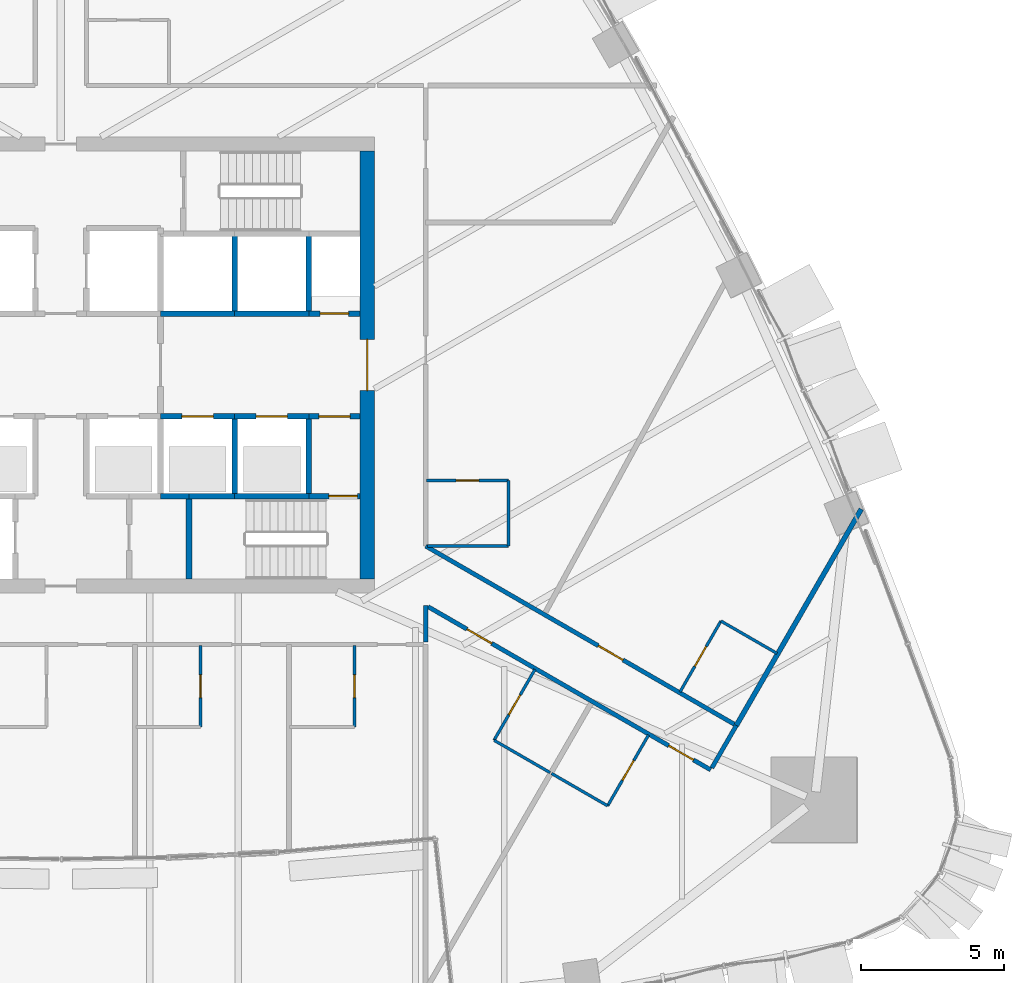
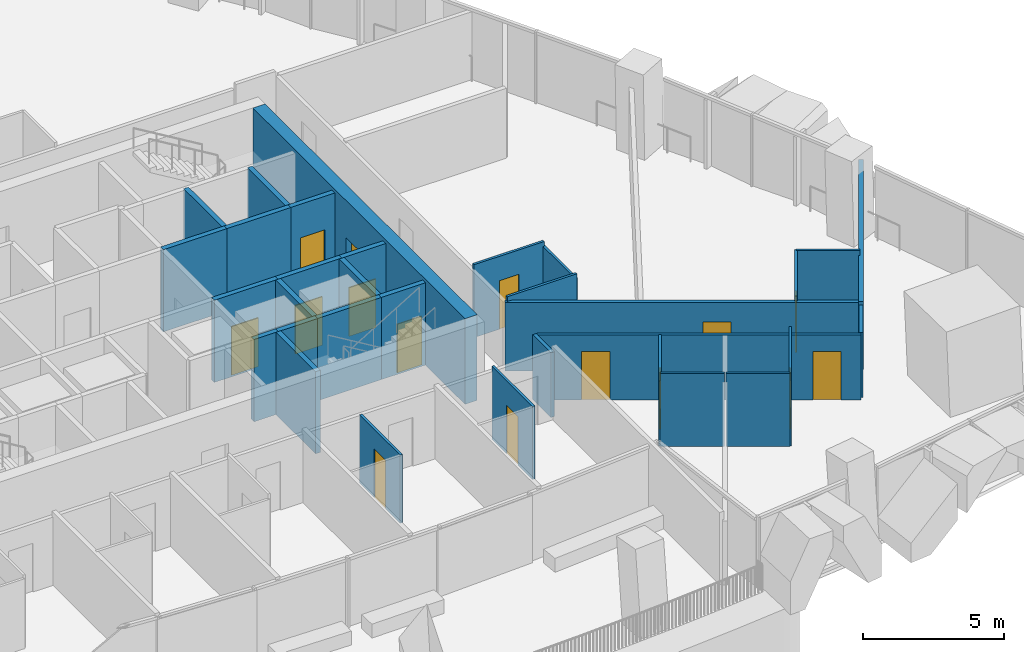
# One storey, part 14 of 22: 32 walls, 15 doors, 15 openings.
"""IFC4 building model written with IfcOpenShell, lengths in metres."""

from ifc_helpers import new_model, si_unit, direction, frame, frame_2d, origin, place, context, subcontext, project, spatial, rectangle, extrude, material, layer, layer_set, type_object, element, fill, save


model = new_model("IFC4")

# Units and contexts
model_context = context("Model", 3, precision=1e-05, world=origin(), true_north=direction((0.0, 1.0)))
body_context = subcontext(model_context, "Body", "Model", "MODEL_VIEW")
ifc_project = project(units=[si_unit("LENGTHUNIT", "METRE"), si_unit("AREAUNIT", "SQUARE_METRE"), si_unit("VOLUMEUNIT", "CUBIC_METRE"), si_unit("PLANEANGLEUNIT", "RADIAN"), si_unit("MASSUNIT", "GRAM", prefix="KILO")], contexts=[model_context])

# Site, building, storey
site_placement = place(None, origin())
site = spatial("IfcSite", under=ifc_project, at=site_placement, CompositionType="ELEMENT")
building_placement = place(site_placement, origin())
building = spatial("IfcBuilding", under=site, at=building_placement, Name="Sierra Prisma Convention Tower", CompositionType="ELEMENT")
storey_placement = place(building_placement, frame((0.0, 0.0, 73.89990234375)))
storey = spatial("IfcBuildingStorey", under=building, at=storey_placement, Name="L14", CompositionType="ELEMENT", Elevation=73.89990234375)

# Wall, opening, door
ifc_material_1 = material(Name="Gypsum board partition", Category="gypsum")
ifc_layer_1 = layer(ifc_material_1, 0.10009765625)
ifc_layer_set_1 = layer_set([ifc_layer_1], Name="Bathroom partition 100")
wall_type_1 = type_object("IfcWallType", Name="Bathroom partition 100", PredefinedType="PARTITIONING", material=ifc_layer_set_1)
wall_1_placement = place(storey_placement, frame((4.89990234375, -9.830078125, 0.0), z_axis=(0.0, 0.0, 1.0), x_axis=(0.0, -1.0, 0.0)))
wall_1 = element("IfcWall", 1, at=wall_1_placement, inside=storey, type_object=wall_type_1, Name="Partition L14 bath 20", PredefinedType="PARTITIONING", context=body_context, shape_type="SweptSolid", body=[
    extrude(rectangle(XDim=2.869873046875, YDim=0.10009765625, at=frame_2d((1.43505859375, 0.0))), origin(), (0.0, 0.0, 1.0), 2.947021484375),
])
opening_1_placement = place(wall_1_placement, frame((1.034912109375, 0.0, 0.0)))
opening_1 = element("IfcOpeningElement", 2, at=opening_1_placement, cuts=wall_1, Name="Opening L14-D012", PredefinedType="OPENING", context=body_context, shape_type="SweptSolid", body=[
    extrude(rectangle(XDim=0.800048828125, YDim=2.10009765625, at=frame_2d((0.39990234375, 1.050048828125))), frame((0.0, 0.050048828125, 0.0), z_axis=(0.0, -1.0, 0.0), x_axis=(1.0, 0.0, 0.0)), (0.0, 0.0, 1.0), 0.10009765625),
])
ifc_material_2 = material(Name="Solid core timber door leaf", Category="wood")
door_type_1 = type_object("IfcDoorType", Name="Door 800x2100 plain", OperationType="SINGLE_SWING_LEFT", PredefinedType="DOOR", material=ifc_material_2)
door_1_placement = place(opening_1_placement, origin())
door_1 = element("IfcDoor", 3, at=door_1_placement, inside=storey, type_object=door_type_1, Name="Door L14 21", OperationType="SINGLE_SWING_RIGHT", OverallHeight=2.10009765625, OverallWidth=0.800048828125, PredefinedType="DOOR", context=body_context, shape_type="SweptSolid", body=[
    extrude(rectangle(XDim=0.800048828125, YDim=2.10009765625, at=frame_2d((0.39990234375, 1.050048828125))), frame((0.0, 0.02490234375, 0.0), z_axis=(0.0, -1.0, 0.0), x_axis=(1.0, 0.0, 0.0)), (0.0, 0.0, 1.0), 0.050048828125),
])
fill(opening_1, door_1)

wall_2_placement = place(storey_placement, frame((10.300048828125, -9.830078125, 0.0), z_axis=(0.0, 0.0, 1.0), x_axis=(0.0, -1.0, 0.0)))
wall_2 = element("IfcWall", 4, at=wall_2_placement, inside=storey, type_object=wall_type_1, Name="Partition L14 bath 22", PredefinedType="PARTITIONING", context=body_context, shape_type="SweptSolid", body=[
    extrude(rectangle(XDim=2.869873046875, YDim=0.10009765625, at=frame_2d((1.43505859375, 0.0))), origin(), (0.0, 0.0, 1.0), 3.150146484375),
])
opening_2_placement = place(wall_2_placement, frame((1.034912109375, 0.0, 0.0)))
opening_2 = element("IfcOpeningElement", 5, at=opening_2_placement, cuts=wall_2, Name="Opening L14-D013", PredefinedType="OPENING", context=body_context, shape_type="SweptSolid", body=[
    extrude(rectangle(XDim=0.800048828125, YDim=2.10009765625, at=frame_2d((0.39990234375, 1.050048828125))), frame((0.0, 0.050048828125, 0.0), z_axis=(0.0, -1.0, 0.0), x_axis=(1.0, 0.0, 0.0)), (0.0, 0.0, 1.0), 0.10009765625),
])
door_2_placement = place(opening_2_placement, origin())
door_2 = element("IfcDoor", 6, at=door_2_placement, inside=storey, type_object=door_type_1, Name="Door L14 23", OperationType="SINGLE_SWING_LEFT", OverallHeight=2.10009765625, OverallWidth=0.800048828125, PredefinedType="DOOR", context=body_context, shape_type="SweptSolid", body=[
    extrude(rectangle(XDim=0.800048828125, YDim=2.10009765625, at=frame_2d((0.39990234375, 1.050048828125))), frame((0.0, 0.02490234375, 0.0), z_axis=(0.0, -1.0, 0.0), x_axis=(1.0, 0.0, 0.0)), (0.0, 0.0, 1.0), 0.050048828125),
])
fill(opening_2, door_2)

wall_3_placement = place(storey_placement, frame((12.830078125, -4.05078125, 0.0), z_axis=(0.0, 0.0, 1.0), x_axis=(1.0, 0.0, 0.0)))
wall_3 = element("IfcWall", 7, at=wall_3_placement, inside=storey, type_object=wall_type_1, Name="Partition L14 bath 24", PredefinedType="PARTITIONING", context=body_context, shape_type="SweptSolid", body=[
    extrude(rectangle(XDim=2.869873046875, YDim=0.10009765625, at=frame_2d((1.43505859375, 0.0))), origin(), (0.0, 0.0, 1.0), 3.150146484375),
])
opening_3_placement = place(wall_3_placement, frame((1.034912109375, 0.0, 0.0)))
opening_3 = element("IfcOpeningElement", 8, at=opening_3_placement, cuts=wall_3, Name="Opening L14-D017", PredefinedType="OPENING", context=body_context, shape_type="SweptSolid", body=[
    extrude(rectangle(XDim=0.800048828125, YDim=2.10009765625, at=frame_2d((0.39990234375, 1.050048828125))), frame((0.0, 0.050048828125, 0.0), z_axis=(0.0, -1.0, 0.0), x_axis=(1.0, 0.0, 0.0)), (0.0, 0.0, 1.0), 0.10009765625),
])
door_3_placement = place(opening_3_placement, origin())
door_3 = element("IfcDoor", 9, at=door_3_placement, inside=storey, type_object=door_type_1, Name="Door L14 31", OperationType="SINGLE_SWING_LEFT", OverallHeight=2.10009765625, OverallWidth=0.800048828125, PredefinedType="DOOR", context=body_context, shape_type="SweptSolid", body=[
    extrude(rectangle(XDim=0.800048828125, YDim=2.10009765625, at=frame_2d((0.39990234375, 1.050048828125))), frame((0.0, 0.02490234375, 0.0), z_axis=(0.0, -1.0, 0.0), x_axis=(1.0, 0.0, 0.0)), (0.0, 0.0, 1.0), 0.050048828125),
])
fill(opening_3, door_3)

# Walls
wall_4_placement = place(storey_placement, frame((15.699951171875, -4.05078125, 0.0), z_axis=(0.0, 0.0, 1.0), x_axis=(0.0, -1.0, 0.0)))
element("IfcWall", 10, at=wall_4_placement, inside=storey, type_object=wall_type_1, Name="Partition L14 bath 25", PredefinedType="PARTITIONING", context=body_context, shape_type="SweptSolid", body=[
    extrude(rectangle(XDim=2.300048828125, YDim=0.10009765625, at=frame_2d((1.14990234375, 0.0))), origin(), (0.0, 0.0, 1.0), 2.947021484375),
])
wall_5_placement = place(storey_placement, frame((15.699951171875, -6.350830078125, 0.0), z_axis=(0.0, 0.0, 1.0), x_axis=(-1.0, 0.0, 0.0)))
element("IfcWall", 11, at=wall_5_placement, inside=storey, type_object=wall_type_1, Name="Partition L14 bath 26", PredefinedType="PARTITIONING", context=body_context, shape_type="SweptSolid", body=[
    extrude(rectangle(XDim=2.83984375, YDim=0.10009765625, at=frame_2d((1.419921875, 0.0))), origin(), (0.0, 0.0, 1.0), 3.150146484375),
])
wall_6_placement = place(storey_placement, frame((17.16259765625, -14.296630859375, 0.0), z_axis=(0.0, 0.0, 1.0), x_axis=(-0.866044110172, 0.499967598186, 0.0)))
element("IfcWall", 12, at=wall_6_placement, inside=storey, type_object=wall_type_1, Name="Partition L14 bath 27", PredefinedType="PARTITIONING", context=body_context, shape_type="SweptSolid", body=[
    extrude(rectangle(XDim=2.270263671875, YDim=0.10009765625, at=frame_2d((1.13525390625, 0.0))), origin(), (0.0, 0.0, 1.0), 3.150146484375),
])

# Wall, opening, door
wall_7_placement = place(storey_placement, frame((15.196533203125, -13.16162109375, 0.0), z_axis=(0.0, 0.0, 1.0), x_axis=(0.499999802827, 0.866025517622, 0.0)))
wall_7 = element("IfcWall", 13, at=wall_7_placement, inside=storey, type_object=wall_type_1, Name="Partition L14 bath 28", PredefinedType="PARTITIONING", context=body_context, shape_type="SweptSolid", body=[
    extrude(rectangle(XDim=2.8701171875, YDim=0.10009765625, at=frame_2d((1.43505859375, 0.0))), origin(), (0.0, 0.0, 1.0), 2.797119140625),
])
opening_4_placement = place(wall_7_placement, frame((1.034912109375, 0.0, 0.0)))
opening_4 = element("IfcOpeningElement", 14, at=opening_4_placement, cuts=wall_7, Name="Opening L14-D014", PredefinedType="OPENING", context=body_context, shape_type="SweptSolid", body=[
    extrude(rectangle(XDim=0.800048828125, YDim=2.10009765625, at=frame_2d((0.39990234375, 1.050048828125))), frame((0.0, 0.050048828125, 0.0), z_axis=(0.0, -1.0, 0.0), x_axis=(1.0, 0.0, 0.0)), (0.0, 0.0, 1.0), 0.10009765625),
])
door_4_placement = place(opening_4_placement, origin())
door_4 = element("IfcDoor", 15, at=door_4_placement, inside=storey, type_object=door_type_1, Name="Door L14 25", OperationType="SINGLE_SWING_RIGHT", OverallHeight=2.10009765625, OverallWidth=0.800048828125, PredefinedType="DOOR", context=body_context, shape_type="SweptSolid", body=[
    extrude(rectangle(XDim=0.800048828125, YDim=2.10009765625, at=frame_2d((0.39990234375, 1.050048828125))), frame((0.0, 0.02490234375, 0.0), z_axis=(0.0, -1.0, 0.0), x_axis=(1.0, 0.0, 0.0)), (0.0, 0.0, 1.0), 0.050048828125),
])
fill(opening_4, door_4)

wall_8_placement = place(storey_placement, frame((20.615234375, -12.97607421875, 0.0), z_axis=(0.0, 0.0, 1.0), x_axis=(-0.499936001555, -0.866062350151, 0.0)))
wall_8 = element("IfcWall", 16, at=wall_8_placement, inside=storey, type_object=wall_type_1, Name="Partition L14 bath 29", PredefinedType="PARTITIONING", context=body_context, shape_type="SweptSolid", body=[
    extrude(rectangle(XDim=2.8701171875, YDim=0.10009765625, at=frame_2d((1.43505859375, 0.0))), origin(), (0.0, 0.0, 1.0), 3.150146484375),
])
opening_5_placement = place(wall_8_placement, frame((1.034912109375, 0.0, 0.0)))
opening_5 = element("IfcOpeningElement", 17, at=opening_5_placement, cuts=wall_8, Name="Opening L14-D015", PredefinedType="OPENING", context=body_context, shape_type="SweptSolid", body=[
    extrude(rectangle(XDim=0.800048828125, YDim=2.10009765625, at=frame_2d((0.39990234375, 1.050048828125))), frame((0.0, 0.050048828125, 0.0), z_axis=(0.0, -1.0, 0.0), x_axis=(1.0, 0.0, 0.0)), (0.0, 0.0, 1.0), 0.10009765625),
])
door_5_placement = place(opening_5_placement, origin())
door_5 = element("IfcDoor", 18, at=door_5_placement, inside=storey, type_object=door_type_1, Name="Door L14 27", OperationType="SINGLE_SWING_RIGHT", OverallHeight=2.10009765625, OverallWidth=0.800048828125, PredefinedType="DOOR", context=body_context, shape_type="SweptSolid", body=[
    extrude(rectangle(XDim=0.800048828125, YDim=2.10009765625, at=frame_2d((0.39990234375, 1.050048828125))), frame((0.0, 0.02490234375, 0.0), z_axis=(0.0, -1.0, 0.0), x_axis=(1.0, 0.0, 0.0)), (0.0, 0.0, 1.0), 0.050048828125),
])
fill(opening_5, door_5)

# Wall
wall_9_placement = place(storey_placement, frame((19.180419921875, -15.461669921875, 0.0), z_axis=(0.0, 0.0, 1.0), x_axis=(-0.866044110172, 0.499967598186, 0.0)))
element("IfcWall", 19, at=wall_9_placement, inside=storey, type_object=wall_type_1, Name="Partition L14 bath 30", PredefinedType="PARTITIONING", context=body_context, shape_type="SweptSolid", body=[
    extrude(rectangle(XDim=2.270263671875, YDim=0.10009765625, at=frame_2d((1.13525390625, 0.0))), origin(), (0.0, 0.0, 1.0), 3.150146484375),
])

# Wall, opening, door
wall_10_placement = place(storey_placement, frame((21.718505859375, -11.46533203125, 0.0), z_axis=(0.0, 0.0, 1.0), x_axis=(0.499999802827, 0.866025517622, 0.0)))
wall_10 = element("IfcWall", 20, at=wall_10_placement, inside=storey, type_object=wall_type_1, Name="Partition L14 bath 31", PredefinedType="PARTITIONING", context=body_context, shape_type="SweptSolid", body=[
    extrude(rectangle(XDim=2.8701171875, YDim=0.10009765625, at=frame_2d((1.43505859375, 0.0))), origin(), (0.0, 0.0, 1.0), 3.150146484375),
])
opening_6_placement = place(wall_10_placement, frame((1.034912109375, 0.0, 0.0)))
opening_6 = element("IfcOpeningElement", 21, at=opening_6_placement, cuts=wall_10, Name="Opening L14-D016", PredefinedType="OPENING", context=body_context, shape_type="SweptSolid", body=[
    extrude(rectangle(XDim=0.800048828125, YDim=2.10009765625, at=frame_2d((0.39990234375, 1.050048828125))), frame((0.0, 0.050048828125, 0.0), z_axis=(0.0, -1.0, 0.0), x_axis=(1.0, 0.0, 0.0)), (0.0, 0.0, 1.0), 0.10009765625),
])
door_6_placement = place(opening_6_placement, origin())
door_6 = element("IfcDoor", 22, at=door_6_placement, inside=storey, type_object=door_type_1, Name="Door L14 29", OperationType="SINGLE_SWING_LEFT", OverallHeight=2.10009765625, OverallWidth=0.800048828125, PredefinedType="DOOR", context=body_context, shape_type="SweptSolid", body=[
    extrude(rectangle(XDim=0.800048828125, YDim=2.10009765625, at=frame_2d((0.39990234375, 1.050048828125))), frame((0.0, 0.02490234375, 0.0), z_axis=(0.0, -1.0, 0.0), x_axis=(1.0, 0.0, 0.0)), (0.0, 0.0, 1.0), 0.050048828125),
])
fill(opening_6, door_6)

# Walls
wall_11_placement = place(storey_placement, frame((23.153564453125, -8.979736328125, 0.0), z_axis=(0.0, 0.0, 1.0), x_axis=(0.866017224141, -0.500014167291, 0.0)))
element("IfcWall", 23, at=wall_11_placement, inside=storey, type_object=wall_type_1, Name="Partition L14 bath 32", PredefinedType="PARTITIONING", context=body_context, shape_type="SweptSolid", body=[
    extrude(rectangle(XDim=2.27001953125, YDim=0.10009765625, at=frame_2d((1.135009765625, 0.0))), origin(), (0.0, 0.0, 1.0), 3.150146484375),
])
ifc_material_3 = material(Name="Concrete C30/37", Category="concrete")
ifc_layer_2 = layer(ifc_material_3, 0.199951171875)
ifc_layer_set_2 = layer_set([ifc_layer_2], Name="Core wall RC 200 C30/37")
wall_type_2 = type_object("IfcWallType", Name="Core wall RC 200 C30/37", PredefinedType="SOLIDWALL", material=ifc_layer_set_2)
wall_12_placement = place(storey_placement, frame((4.5, -4.60009765625, 0.0), z_axis=(0.0, 0.0, 1.0), x_axis=(-1.0, 0.0, 0.0)))
element("IfcWall", 24, at=wall_12_placement, inside=storey, type_object=wall_type_2, Name="Core wall L14 44", PredefinedType="SOLIDWALL", context=body_context, shape_type="SweptSolid", body=[
    extrude(rectangle(XDim=1.0, YDim=0.199951171875, at=frame_2d((0.5, 0.0))), origin(), (0.0, 0.0, 1.0), 3.550048828125),
])

# Wall, opening, door
wall_13_placement = place(storey_placement, frame((3.5, -1.800048828125, 0.0), z_axis=(0.0, 0.0, 1.0), x_axis=(1.0, 0.0, 0.0)))
wall_13 = element("IfcWall", 25, at=wall_13_placement, inside=storey, type_object=wall_type_2, Name="Core wall L14 46", PredefinedType="SOLIDWALL", context=body_context, shape_type="SweptSolid", body=[
    extrude(rectangle(XDim=2.60009765625, YDim=0.199951171875, at=frame_2d((1.300048828125, 0.0))), origin(), (0.0, 0.0, 1.0), 3.550048828125),
])
opening_7_placement = place(wall_13_placement, frame((0.75, 0.0, 0.0)))
opening_7 = element("IfcOpeningElement", 26, at=opening_7_placement, cuts=wall_13, Name="Opening L14-D022", PredefinedType="OPENING", context=body_context, shape_type="SweptSolid", body=[
    extrude(rectangle(XDim=1.10009765625, YDim=2.10009765625, at=frame_2d((0.550048828125, 1.050048828125))), frame((0.0, 0.10009765625, 0.0), z_axis=(0.0, -1.0, 0.0), x_axis=(1.0, 0.0, 0.0)), (0.0, 0.0, 1.0), 0.199951171875),
])
ifc_material_4 = material(Name="Steel fire door leaf", Category="steel")
door_type_2 = type_object("IfcDoorType", Name="Door 1100x2100 EI 90 sliding lift landing", OperationType="SLIDING_TO_LEFT", PredefinedType="DOOR", material=ifc_material_4)
door_7_placement = place(opening_7_placement, origin())
door_7 = element("IfcDoor", 27, at=door_7_placement, inside=storey, type_object=door_type_2, Name="Door L14 36", OperationType="SLIDING_TO_RIGHT", OverallHeight=2.10009765625, OverallWidth=1.10009765625, PredefinedType="DOOR", context=body_context, shape_type="SweptSolid", body=[
    extrude(rectangle(XDim=1.10009765625, YDim=2.10009765625, at=frame_2d((0.550048828125, 1.050048828125))), frame((0.0, 0.02490234375, 0.0), z_axis=(0.0, -1.0, 0.0), x_axis=(1.0, 0.0, 0.0)), (0.0, 0.0, 1.0), 0.050048828125),
])
fill(opening_7, door_7)

# Walls
wall_14_placement = place(storey_placement, frame((6.10009765625, 1.800048828125, 0.0), z_axis=(0.0, 0.0, 1.0), x_axis=(-1.0, 0.0, 0.0)))
element("IfcWall", 28, at=wall_14_placement, inside=storey, type_object=wall_type_2, Name="Core wall L14 48", PredefinedType="SOLIDWALL", context=body_context, shape_type="SweptSolid", body=[
    extrude(rectangle(XDim=2.60009765625, YDim=0.199951171875, at=frame_2d((1.300048828125, 0.0))), origin(), (0.0, 0.0, 1.0), 3.550048828125),
])
wall_15_placement = place(storey_placement, frame((4.5, -7.5, 0.0), z_axis=(0.0, 0.0, 1.0), x_axis=(0.0, 1.0, 0.0)))
element("IfcWall", 29, at=wall_15_placement, inside=storey, type_object=wall_type_2, Name="Core wall L14 53", PredefinedType="SOLIDWALL", context=body_context, shape_type="SweptSolid", body=[
    extrude(rectangle(XDim=2.89990234375, YDim=0.199951171875, at=frame_2d((1.449951171875, 0.0))), origin(), (0.0, 0.0, 1.0), 3.550048828125),
])
wall_16_placement = place(storey_placement, frame((4.5, -4.60009765625, 0.0), z_axis=(0.0, 0.0, 1.0), x_axis=(1.0, 0.0, 0.0)))
element("IfcWall", 30, at=wall_16_placement, inside=storey, type_object=wall_type_2, Name="Core wall L14 54", PredefinedType="SOLIDWALL", context=body_context, shape_type="SweptSolid", body=[
    extrude(rectangle(XDim=1.60009765625, YDim=0.199951171875, at=frame_2d((0.800048828125, 0.0))), origin(), (0.0, 0.0, 1.0), 3.550048828125),
])
wall_17_placement = place(storey_placement, frame((6.10009765625, -4.60009765625, 0.0), z_axis=(0.0, 0.0, 1.0), x_axis=(1.0, 0.0, 0.0)))
element("IfcWall", 31, at=wall_17_placement, inside=storey, type_object=wall_type_2, Name="Core wall L14 55", PredefinedType="SOLIDWALL", context=body_context, shape_type="SweptSolid", body=[
    extrude(rectangle(XDim=2.599853515625, YDim=0.199951171875, at=frame_2d((1.2998046875, 0.0))), origin(), (0.0, 0.0, 1.0), 3.550048828125),
])
wall_18_placement = place(storey_placement, frame((6.10009765625, -4.60009765625, 0.0), z_axis=(0.0, 0.0, 1.0), x_axis=(0.0, 1.0, 0.0)))
element("IfcWall", 32, at=wall_18_placement, inside=storey, type_object=wall_type_2, Name="Core wall L14 56", PredefinedType="SOLIDWALL", context=body_context, shape_type="SweptSolid", body=[
    extrude(rectangle(XDim=2.800048828125, YDim=0.199951171875, at=frame_2d((1.39990234375, 0.0))), origin(), (0.0, 0.0, 1.0), 3.550048828125),
])

# Wall, opening, door
wall_19_placement = place(storey_placement, frame((6.10009765625, -1.800048828125, 0.0), z_axis=(0.0, 0.0, 1.0), x_axis=(1.0, 0.0, 0.0)))
wall_19 = element("IfcWall", 33, at=wall_19_placement, inside=storey, type_object=wall_type_2, Name="Core wall L14 57", PredefinedType="SOLIDWALL", context=body_context, shape_type="SweptSolid", body=[
    extrude(rectangle(XDim=2.599853515625, YDim=0.199951171875, at=frame_2d((1.2998046875, 0.0))), origin(), (0.0, 0.0, 1.0), 3.550048828125),
])
opening_8_placement = place(wall_19_placement, frame((0.75, 0.0, 0.0)))
opening_8 = element("IfcOpeningElement", 34, at=opening_8_placement, cuts=wall_19, Name="Opening L14-D023", PredefinedType="OPENING", context=body_context, shape_type="SweptSolid", body=[
    extrude(rectangle(XDim=1.10009765625, YDim=2.10009765625, at=frame_2d((0.550048828125, 1.050048828125))), frame((0.0, 0.10009765625, 0.0), z_axis=(0.0, -1.0, 0.0), x_axis=(1.0, 0.0, 0.0)), (0.0, 0.0, 1.0), 0.199951171875),
])
door_8_placement = place(opening_8_placement, origin())
door_8 = element("IfcDoor", 35, at=door_8_placement, inside=storey, type_object=door_type_2, Name="Door L14 37", OperationType="SLIDING_TO_RIGHT", OverallHeight=2.10009765625, OverallWidth=1.10009765625, PredefinedType="DOOR", context=body_context, shape_type="SweptSolid", body=[
    extrude(rectangle(XDim=1.10009765625, YDim=2.10009765625, at=frame_2d((0.550048828125, 1.050048828125))), frame((0.0, 0.02490234375, 0.0), z_axis=(0.0, -1.0, 0.0), x_axis=(1.0, 0.0, 0.0)), (0.0, 0.0, 1.0), 0.050048828125),
])
fill(opening_8, door_8)

# Walls
wall_20_placement = place(storey_placement, frame((8.699951171875, 1.800048828125, 0.0), z_axis=(0.0, 0.0, 1.0), x_axis=(-1.0, 0.0, 0.0)))
element("IfcWall", 36, at=wall_20_placement, inside=storey, type_object=wall_type_2, Name="Core wall L14 58", PredefinedType="SOLIDWALL", context=body_context, shape_type="SweptSolid", body=[
    extrude(rectangle(XDim=2.599853515625, YDim=0.199951171875, at=frame_2d((1.2998046875, 0.0))), origin(), (0.0, 0.0, 1.0), 3.550048828125),
])
wall_21_placement = place(storey_placement, frame((6.10009765625, 1.800048828125, 0.0), z_axis=(0.0, 0.0, 1.0), x_axis=(0.0, 1.0, 0.0)))
element("IfcWall", 37, at=wall_21_placement, inside=storey, type_object=wall_type_2, Name="Core wall L14 59", PredefinedType="SOLIDWALL", context=body_context, shape_type="SweptSolid", body=[
    extrude(rectangle(XDim=2.800048828125, YDim=0.199951171875, at=frame_2d((1.39990234375, 0.0))), origin(), (0.0, 0.0, 1.0), 3.550048828125),
])

# Wall, opening, door
wall_22_placement = place(storey_placement, frame((8.699951171875, -4.60009765625, 0.0), z_axis=(0.0, 0.0, 1.0), x_axis=(1.0, 0.0, 0.0)))
wall_22 = element("IfcWall", 38, at=wall_22_placement, inside=storey, type_object=wall_type_2, Name="Core wall L14 61", PredefinedType="SOLIDWALL", context=body_context, shape_type="SweptSolid", body=[
    extrude(rectangle(XDim=1.800048828125, YDim=0.199951171875, at=frame_2d((0.89990234375, 0.0))), origin(), (0.0, 0.0, 1.0), 3.550048828125),
])
opening_9_placement = place(wall_22_placement, frame((0.699951171875, 0.0, 0.0)))
opening_9 = element("IfcOpeningElement", 39, at=opening_9_placement, cuts=wall_22, Name="Opening L14-D036", PredefinedType="OPENING", context=body_context, shape_type="SweptSolid", body=[
    extrude(rectangle(XDim=1.0, YDim=2.10009765625, at=frame_2d((0.5, 1.050048828125))), frame((0.0, 0.10009765625, 0.0), z_axis=(0.0, -1.0, 0.0), x_axis=(1.0, 0.0, 0.0)), (0.0, 0.0, 1.0), 0.199951171875),
])
ifc_material_5 = material(Name="Steel fire door leaf", Category="steel")
door_type_3 = type_object("IfcDoorType", Name="Door 1000x2100 FD90S", OperationType="SINGLE_SWING_LEFT", PredefinedType="DOOR", material=ifc_material_5)
door_9_placement = place(opening_9_placement, origin())
door_9 = element("IfcDoor", 40, at=door_9_placement, inside=storey, type_object=door_type_3, Name="Door L14 50", OperationType="SINGLE_SWING_RIGHT", OverallHeight=2.10009765625, OverallWidth=1.0, PredefinedType="DOOR", context=body_context, shape_type="SweptSolid", body=[
    extrude(rectangle(XDim=1.0, YDim=2.10009765625, at=frame_2d((0.5, 1.050048828125))), frame((0.0, 0.02490234375, 0.0), z_axis=(0.0, -1.0, 0.0), x_axis=(1.0, 0.0, 0.0)), (0.0, 0.0, 1.0), 0.050048828125),
])
fill(opening_9, door_9)

# Wall
wall_23_placement = place(storey_placement, frame((8.699951171875, -1.800048828125, 0.0), z_axis=(0.0, 0.0, 1.0), x_axis=(0.0, -1.0, 0.0)))
element("IfcWall", 41, at=wall_23_placement, inside=storey, type_object=wall_type_2, Name="Core wall L14 62", PredefinedType="SOLIDWALL", context=body_context, shape_type="SweptSolid", body=[
    extrude(rectangle(XDim=2.800048828125, YDim=0.199951171875, at=frame_2d((1.39990234375, 0.0))), origin(), (0.0, 0.0, 1.0), 3.550048828125),
])

# Wall, opening, door
wall_24_placement = place(storey_placement, frame((8.699951171875, -1.800048828125, 0.0), z_axis=(0.0, 0.0, 1.0), x_axis=(1.0, 0.0, 0.0)))
wall_24 = element("IfcWall", 42, at=wall_24_placement, inside=storey, type_object=wall_type_2, Name="Core wall L14 63", PredefinedType="SOLIDWALL", context=body_context, shape_type="SweptSolid", body=[
    extrude(rectangle(XDim=1.800048828125, YDim=0.199951171875, at=frame_2d((0.89990234375, 0.0))), origin(), (0.0, 0.0, 1.0), 3.550048828125),
])
opening_10_placement = place(wall_24_placement, frame((0.35009765625, 0.0, 0.0)))
opening_10 = element("IfcOpeningElement", 43, at=opening_10_placement, cuts=wall_24, Name="Opening L14-D030", PredefinedType="OPENING", context=body_context, shape_type="SweptSolid", body=[
    extrude(rectangle(XDim=1.10009765625, YDim=2.10009765625, at=frame_2d((0.550048828125, 1.050048828125))), frame((0.0, 0.10009765625, 0.0), z_axis=(0.0, -1.0, 0.0), x_axis=(1.0, 0.0, 0.0)), (0.0, 0.0, 1.0), 0.199951171875),
])
ifc_material_6 = material(Name="Steel fire door leaf", Category="steel")
door_type_4 = type_object("IfcDoorType", Name="Door 1100x2100 FD90S", OperationType="SINGLE_SWING_LEFT", PredefinedType="DOOR", material=ifc_material_6)
door_10_placement = place(opening_10_placement, origin())
door_10 = element("IfcDoor", 44, at=door_10_placement, inside=storey, type_object=door_type_4, Name="Door L14 44", OperationType="SINGLE_SWING_LEFT", OverallHeight=2.10009765625, OverallWidth=1.10009765625, PredefinedType="DOOR", context=body_context, shape_type="SweptSolid", body=[
    extrude(rectangle(XDim=1.10009765625, YDim=2.10009765625, at=frame_2d((0.550048828125, 1.050048828125))), frame((0.0, 0.02490234375, 0.0), z_axis=(0.0, -1.0, 0.0), x_axis=(1.0, 0.0, 0.0)), (0.0, 0.0, 1.0), 0.050048828125),
])
fill(opening_10, door_10)

wall_25_placement = place(storey_placement, frame((10.5, 1.800048828125, 0.0), z_axis=(0.0, 0.0, 1.0), x_axis=(-1.0, 0.0, 0.0)))
wall_25 = element("IfcWall", 45, at=wall_25_placement, inside=storey, type_object=wall_type_2, Name="Core wall L14 64", PredefinedType="SOLIDWALL", context=body_context, shape_type="SweptSolid", body=[
    extrude(rectangle(XDim=1.800048828125, YDim=0.199951171875, at=frame_2d((0.89990234375, 0.0))), origin(), (0.0, 0.0, 1.0), 3.550048828125),
])
opening_11_placement = place(wall_25_placement, frame((0.39990234375, 0.0, 0.0)))
opening_11 = element("IfcOpeningElement", 46, at=opening_11_placement, cuts=wall_25, Name="Opening L14-D034", PredefinedType="OPENING", context=body_context, shape_type="SweptSolid", body=[
    extrude(rectangle(XDim=1.0, YDim=2.10009765625, at=frame_2d((0.5, 1.050048828125))), frame((0.0, 0.10009765625, 0.0), z_axis=(0.0, -1.0, 0.0), x_axis=(1.0, 0.0, 0.0)), (0.0, 0.0, 1.0), 0.199951171875),
])
ifc_material_7 = material(Name="Steel fire door leaf", Category="steel")
door_type_5 = type_object("IfcDoorType", Name="Door 1000x2100 FD60S", OperationType="SINGLE_SWING_LEFT", PredefinedType="DOOR", material=ifc_material_7)
door_11_placement = place(opening_11_placement, origin())
door_11 = element("IfcDoor", 47, at=door_11_placement, inside=storey, type_object=door_type_5, Name="Door L14 48", OperationType="SINGLE_SWING_RIGHT", OverallHeight=2.10009765625, OverallWidth=1.0, PredefinedType="DOOR", context=body_context, shape_type="SweptSolid", body=[
    extrude(rectangle(XDim=1.0, YDim=2.10009765625, at=frame_2d((0.5, 1.050048828125))), frame((0.0, 0.02490234375, 0.0), z_axis=(0.0, -1.0, 0.0), x_axis=(1.0, 0.0, 0.0)), (0.0, 0.0, 1.0), 0.050048828125),
])
fill(opening_11, door_11)

# Wall
wall_26_placement = place(storey_placement, frame((8.699951171875, 4.60009765625, 0.0), z_axis=(0.0, 0.0, 1.0), x_axis=(0.0, -1.0, 0.0)))
element("IfcWall", 48, at=wall_26_placement, inside=storey, type_object=wall_type_2, Name="Core wall L14 65", PredefinedType="SOLIDWALL", context=body_context, shape_type="SweptSolid", body=[
    extrude(rectangle(XDim=2.800048828125, YDim=0.199951171875, at=frame_2d((1.39990234375, 0.0))), origin(), (0.0, 0.0, 1.0), 3.550048828125),
])

# Wall, opening, door
ifc_material_8 = material(Name="Concrete C60/75", Category="concrete")
ifc_layer_3 = layer(ifc_material_8, 0.5)
ifc_layer_set_3 = layer_set([ifc_layer_3], Name="Core wall RC 500 C60/75")
wall_type_3 = type_object("IfcWallType", Name="Core wall RC 500 C60/75", PredefinedType="SHEAR", material=ifc_layer_set_3)
wall_27_placement = place(storey_placement, frame((10.75, -7.5, 0.0), z_axis=(0.0, 0.0, 1.0), x_axis=(0.0, 1.0, 0.0)))
wall_27 = element("IfcWall", 49, at=wall_27_placement, inside=storey, type_object=wall_type_3, Name="Core wall E L14", PredefinedType="SHEAR", context=body_context, shape_type="SweptSolid", body=[
    extrude(rectangle(XDim=15.0, YDim=0.5, at=frame_2d((7.5, 0.0))), origin(), (0.0, 0.0, 1.0), 3.7001953125),
])
opening_12_placement = place(wall_27_placement, frame((6.60009765625, 0.0, 0.0)))
opening_12 = element("IfcOpeningElement", 50, at=opening_12_placement, cuts=wall_27, Name="Opening L14-D057", PredefinedType="OPENING", context=body_context, shape_type="SweptSolid", body=[
    extrude(rectangle(XDim=1.800048828125, YDim=2.10009765625, at=frame_2d((0.89990234375, 1.050048828125))), frame((0.0, 0.25, 0.0), z_axis=(0.0, -1.0, 0.0), x_axis=(1.0, 0.0, 0.0)), (0.0, 0.0, 1.0), 0.5),
])
ifc_material_9 = material(Name="Steel fire door leaf", Category="steel")
door_type_6 = type_object("IfcDoorType", Name="Door 1800x2100 FD60S", OperationType="DOUBLE_DOOR_SINGLE_SWING", PredefinedType="DOOR", material=ifc_material_9)
door_12_placement = place(opening_12_placement, origin())
door_12 = element("IfcDoor", 51, at=door_12_placement, inside=storey, type_object=door_type_6, Name="Door L14 55", OperationType="DOUBLE_DOOR_SINGLE_SWING", OverallHeight=2.10009765625, OverallWidth=1.800048828125, PredefinedType="DOOR", context=body_context, shape_type="SweptSolid", body=[
    extrude(rectangle(XDim=1.800048828125, YDim=2.10009765625, at=frame_2d((0.89990234375, 1.050048828125))), frame((0.0, 0.02490234375, 0.0), z_axis=(0.0, -1.0, 0.0), x_axis=(1.0, 0.0, 0.0)), (0.0, 0.0, 1.0), 0.050048828125),
])
fill(opening_12, door_12)

# Wall
ifc_material_10 = material(Name="Gypsum board partition", Category="gypsum")
ifc_layer_4 = layer(ifc_material_10, 0.14990234375)
ifc_layer_set_4 = layer_set([ifc_layer_4], Name="Corridor wall 150 gypsum EI 60")
wall_type_4 = type_object("IfcWallType", Name="Corridor wall 150 gypsum EI 60", PredefinedType="PARTITIONING", material=ifc_layer_set_4)
wall_28_placement = place(storey_placement, frame((12.800048828125, -9.719970703125, 0.0), z_axis=(0.0, 0.0, 1.0), x_axis=(0.0, 1.0, 0.0)))
element("IfcWall", 52, at=wall_28_placement, inside=storey, type_object=wall_type_4, Name="Partition L14 corr 14", PredefinedType="PARTITIONING", context=body_context, shape_type="SweptSolid", body=[
    extrude(rectangle(XDim=1.290771484375, YDim=0.14990234375, at=frame_2d((0.6455078125, 0.0))), origin(), (0.0, 0.0, 1.0), 2.797119140625),
])

# Wall, openings, doors
wall_29_placement = place(storey_placement, frame((12.87939453125, -8.47509765625, 0.0), z_axis=(0.0, 0.0, 1.0), x_axis=(0.866022251081, -0.500005460603, 0.0)))
wall_29 = element("IfcWall", 53, at=wall_29_placement, inside=storey, type_object=wall_type_4, Name="Partition L14 corr 15", PredefinedType="PARTITIONING", context=body_context, shape_type="SweptSolid", body=[
    extrude(rectangle(XDim=11.449951171875, YDim=0.14990234375, at=frame_2d((5.72509765625, 0.0))), origin(), (0.0, 0.0, 1.0), 2.797119140625),
])
opening_13_placement = place(wall_29_placement, frame((1.579345703125, 0.0, 0.0)))
opening_13 = element("IfcOpeningElement", 54, at=opening_13_placement, cuts=wall_29, Name="Opening L14-D053", PredefinedType="OPENING", context=body_context, shape_type="SweptSolid", body=[
    extrude(rectangle(XDim=1.0, YDim=2.10009765625, at=frame_2d((0.5, 1.050048828125))), frame((0.0, 0.074951171875, 0.0), z_axis=(0.0, -1.0, 0.0), x_axis=(1.0, 0.0, 0.0)), (0.0, 0.0, 1.0), 0.14990234375),
])
opening_14_placement = place(wall_29_placement, frame((9.75, 0.0, 0.0)))
opening_14 = element("IfcOpeningElement", 55, at=opening_14_placement, cuts=wall_29, Name="Opening L14-D054", PredefinedType="OPENING", context=body_context, shape_type="SweptSolid", body=[
    extrude(rectangle(XDim=1.0, YDim=2.10009765625, at=frame_2d((0.5, 1.050048828125))), frame((0.0, 0.074951171875, 0.0), z_axis=(0.0, -1.0, 0.0), x_axis=(1.0, 0.0, 0.0)), (0.0, 0.0, 1.0), 0.14990234375),
])
ifc_material_11 = material(Name="Steel fire door leaf", Category="steel")
door_type_7 = type_object("IfcDoorType", Name="Door 1000x2100 FD30S", OperationType="SINGLE_SWING_LEFT", PredefinedType="DOOR", material=ifc_material_11)
door_13_placement = place(opening_13_placement, origin())
door_13 = element("IfcDoor", 56, at=door_13_placement, inside=storey, type_object=door_type_7, Name="Door L14 24", OperationType="SINGLE_SWING_RIGHT", OverallHeight=2.10009765625, OverallWidth=1.0, PredefinedType="DOOR", context=body_context, shape_type="SweptSolid", body=[
    extrude(rectangle(XDim=1.0, YDim=2.10009765625, at=frame_2d((0.5, 1.050048828125))), frame((0.0, 0.02490234375, 0.0), z_axis=(0.0, -1.0, 0.0), x_axis=(1.0, 0.0, 0.0)), (0.0, 0.0, 1.0), 0.050048828125),
])
fill(opening_13, door_13)
door_14_placement = place(opening_14_placement, origin())
door_14 = element("IfcDoor", 57, at=door_14_placement, inside=storey, type_object=door_type_7, Name="Door L14 26", OperationType="SINGLE_SWING_LEFT", OverallHeight=2.10009765625, OverallWidth=1.0, PredefinedType="DOOR", context=body_context, shape_type="SweptSolid", body=[
    extrude(rectangle(XDim=1.0, YDim=2.10009765625, at=frame_2d((0.5, 1.050048828125))), frame((0.0, 0.02490234375, 0.0), z_axis=(0.0, -1.0, 0.0), x_axis=(1.0, 0.0, 0.0)), (0.0, 0.0, 1.0), 0.050048828125),
])
fill(opening_14, door_14)

# Wall
wall_30_placement = place(storey_placement, frame((22.83544921875, -14.130859375, 0.0), z_axis=(0.0, 0.0, 1.0), x_axis=(0.499955923987, 0.866050849587, 0.0)))
element("IfcWall", 58, at=wall_30_placement, inside=storey, type_object=wall_type_4, Name="Partition L14 corr 16", PredefinedType="PARTITIONING", context=body_context, shape_type="SweptSolid", body=[
    extrude(rectangle(XDim=1.719970703125, YDim=0.14990234375, at=frame_2d((0.85986328125, 0.0))), origin(), (0.0, 0.0, 1.0), 2.797119140625),
])

# Wall, opening, door
wall_31_placement = place(storey_placement, frame((23.626220703125, -12.601318359375, 0.0), z_axis=(0.0, 0.0, 1.0), x_axis=(-0.866025575766, 0.499999702119, 0.0)))
wall_31 = element("IfcWall", 59, at=wall_31_placement, inside=storey, type_object=wall_type_4, Name="Partition L14 corr 17", PredefinedType="PARTITIONING", context=body_context, shape_type="SweptSolid", body=[
    extrude(rectangle(XDim=12.5009765625, YDim=0.14990234375, at=frame_2d((6.25048828125, 0.0))), origin(), (0.0, 0.0, 1.0), 2.947021484375),
])
opening_15_placement = place(wall_31_placement, frame((4.510498046875, 0.0, 0.0)))
opening_15 = element("IfcOpeningElement", 60, at=opening_15_placement, cuts=wall_31, Name="Opening L14-D055", PredefinedType="OPENING", context=body_context, shape_type="SweptSolid", body=[
    extrude(rectangle(XDim=1.0, YDim=2.10009765625, at=frame_2d((0.5, 1.050048828125))), frame((0.0, 0.074951171875, 0.0), z_axis=(0.0, -1.0, 0.0), x_axis=(1.0, 0.0, 0.0)), (0.0, 0.0, 1.0), 0.14990234375),
])
door_15_placement = place(opening_15_placement, origin())
door_15 = element("IfcDoor", 61, at=door_15_placement, inside=storey, type_object=door_type_7, Name="Door L14 28", OperationType="SINGLE_SWING_LEFT", OverallHeight=2.10009765625, OverallWidth=1.0, PredefinedType="DOOR", context=body_context, shape_type="SweptSolid", body=[
    extrude(rectangle(XDim=1.0, YDim=2.10009765625, at=frame_2d((0.5, 1.050048828125))), frame((0.0, 0.02490234375, 0.0), z_axis=(0.0, -1.0, 0.0), x_axis=(1.0, 0.0, 0.0)), (0.0, 0.0, 1.0), 0.050048828125),
])
fill(opening_15, door_15)

# Wall
ifc_material_12 = material(Name="Acoustic gypsum board partition", Category="gypsum")
ifc_layer_5 = layer(ifc_material_12, 0.175048828125)
ifc_layer_set_5 = layer_set([ifc_layer_5], Name="Guest room party wall 175 acoustic EI 60")
wall_type_5 = type_object("IfcWallType", Name="Guest room party wall 175 acoustic EI 60", PredefinedType="PARTITIONING", material=ifc_layer_set_5)
wall_32_placement = place(storey_placement, frame((23.6953125, -12.641357421875, 0.0), z_axis=(0.0, 0.0, 1.0), x_axis=(0.500011096892, 0.866018996896, 0.0)))
element("IfcWall", 62, at=wall_32_placement, inside=storey, type_object=wall_type_5, Name="Partition L14 hparty 20", PredefinedType="PARTITIONING", context=body_context, shape_type="SweptSolid", body=[
    extrude(rectangle(XDim=8.761474609375, YDim=0.175048828125, at=frame_2d((4.380859375, 0.0))), origin(), (0.0, 0.0, 1.0), 2.93408203125),
])

save(model, "model.ifc")
